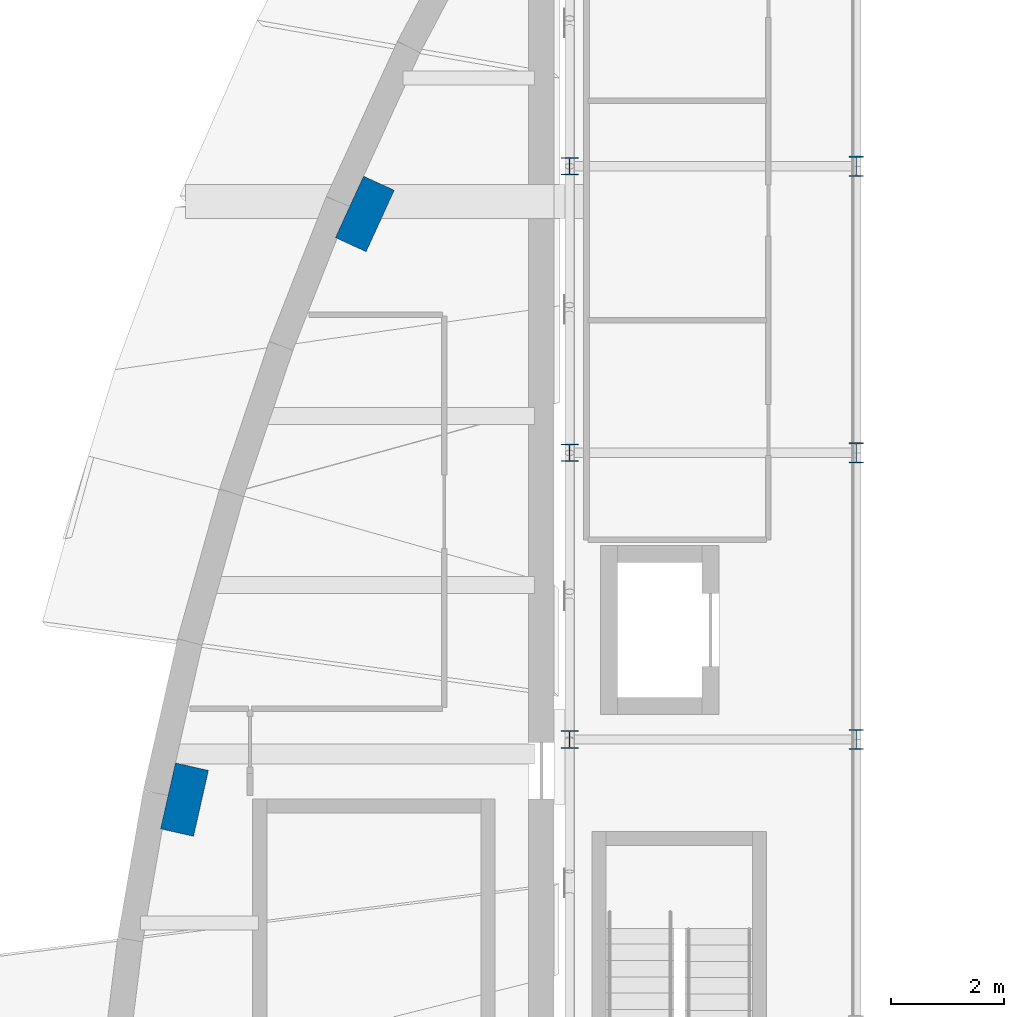
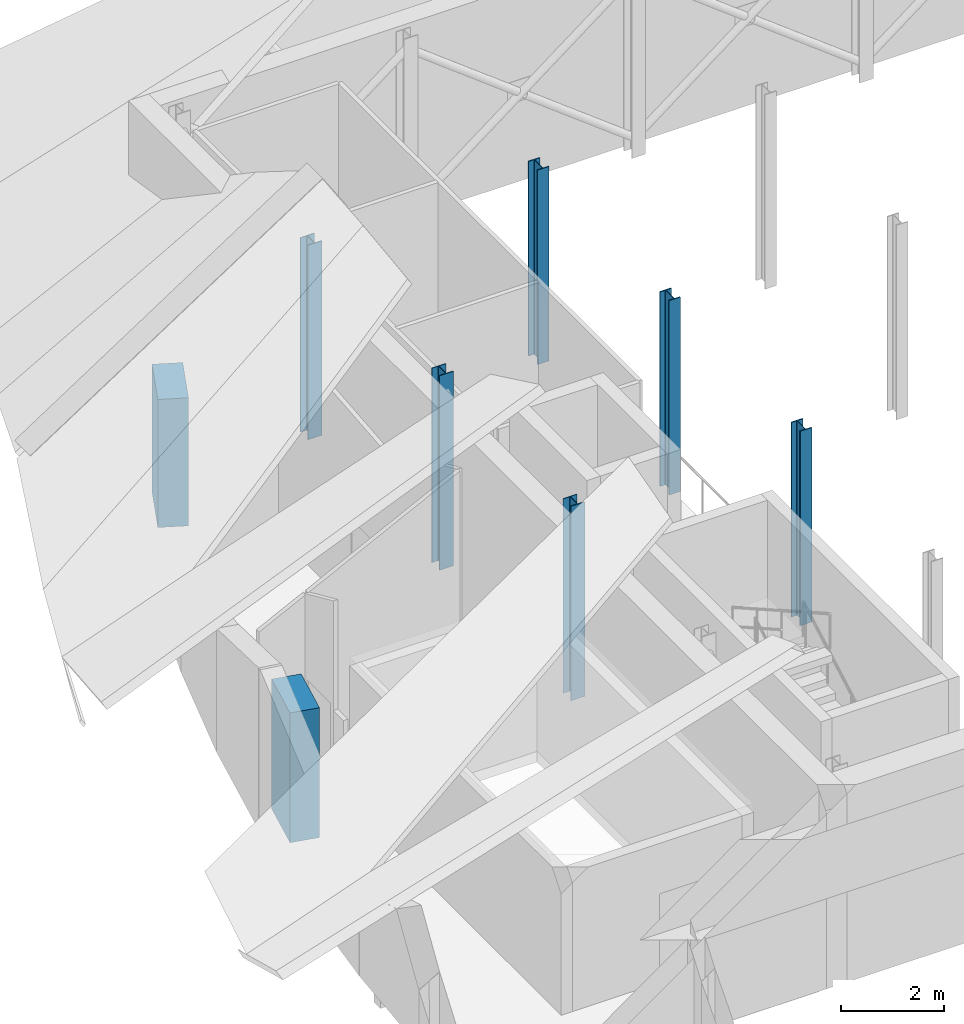
# One storey, part 2 of 17: 8 columns.
"""IFC4 building model written with IfcOpenShell, lengths in metres."""

from ifc_helpers import new_model, si_unit, direction, frame, origin, origin_2d, place, context, subcontext, project, spatial, rectangle, i_section, extrude, material, material_profile, profile_set, type_object, element, save


model = new_model("IFC4")

# Units and contexts
model_context = context("Model", 3, precision=1e-05, world=origin(), true_north=direction((0.0, 1.0)))
body_context = subcontext(model_context, "Body", "Model", "MODEL_VIEW")
ifc_project = project(units=[si_unit("LENGTHUNIT", "METRE"), si_unit("AREAUNIT", "SQUARE_METRE"), si_unit("VOLUMEUNIT", "CUBIC_METRE"), si_unit("PLANEANGLEUNIT", "RADIAN"), si_unit("MASSUNIT", "GRAM", prefix="KILO")], contexts=[model_context])

# Site, building, storey
site_placement = place(None, origin())
site = spatial("IfcSite", under=ifc_project, at=site_placement, CompositionType="ELEMENT")
building_placement = place(site_placement, origin())
building = spatial("IfcBuilding", under=site, at=building_placement, Name="Tide Square Theatres", CompositionType="ELEMENT")
storey_placement = place(building_placement, frame((0.0, 0.0, 14.800048828125)))
storey = spatial("IfcBuildingStorey", under=building, at=storey_placement, Name="L03", CompositionType="ELEMENT", Elevation=14.800048828125)

# Columns
ifc_material_1 = material(Name="Concrete C40", Category="concrete")
ifc_material_profile_1 = material_profile(ifc_material_1, rectangle(XDim=1.199951171875, YDim=0.60009765625, at=origin_2d()))
ifc_profile_set_1 = profile_set([ifc_material_profile_1], Name="Concrete C40")
column_type_1 = type_object("IfcColumnType", Name="RC pier 1200 x 600", PredefinedType="PILASTER", material=ifc_profile_set_1)
column_1_placement = place(storey_placement, frame((64.43798828125, 65.3876953125, 0.0), z_axis=(0.0, 0.0, 1.0), x_axis=(-0.220356962886, -0.975419299024, 0.0)))
element("IfcColumn", 1, at=column_1_placement, inside=storey, type_object=column_type_1, Name="Rib foot pier", PredefinedType="PILASTER", context=body_context, shape_type="SweptSolid", body=[
    extrude(rectangle(XDim=1.199951171875, YDim=0.60009765625, at=origin_2d()), origin(), (0.0, 0.0, 1.0), 3.070556640625),
])
column_2_placement = place(storey_placement, frame((67.64013671875, 75.7880859375, 0.0), z_axis=(0.0, 0.0, 1.0), x_axis=(-0.416344267901, -0.90920704495, 0.0)))
element("IfcColumn", 2, at=column_2_placement, inside=storey, type_object=column_type_1, Name="Rib foot pier", PredefinedType="PILASTER", context=body_context, shape_type="SweptSolid", body=[
    extrude(rectangle(XDim=1.199951171875, YDim=0.60009765625, at=origin_2d()), origin(), (0.0, 0.0, 1.0), 3.030029296875),
])
ifc_material_2 = material(Name="Steel ASTM A572 Grade 50", Category="steel")
ifc_material_profile_2 = material_profile(ifc_material_2, i_section(OverallWidth=0.31201171875, OverallDepth=0.31201171875, WebThickness=0.017333984375, FlangeThickness=0.017333984375, FilletRadius=0.01611328125, at=origin_2d()))
ifc_profile_set_2 = profile_set([ifc_material_profile_2], Name="Steel ASTM A572 Grade 50")
column_type_2 = type_object("IfcColumnType", Name="Steel column HP 310 x 125.0", PredefinedType="COLUMN", material=ifc_profile_set_2)
for number, where, z_axis, x_axis, name in (
    (3, (71.27587890625, 66.455078125, 0.0), (0.0, 0.0, 1.0), (1.0, 0.0, 0.0), "Fly tower column"),
    (4, (71.27587890625, 71.544921875, 0.0), (0.0, 0.0, 1.0), (1.0, 0.0, 0.0), "Fly tower column"),
    (5, (71.27587890625, 76.634521484375, 0.0), (0.0, 0.0, 1.0), (1.0, 0.0, 0.0), "Fly tower column"),
):
    element("IfcColumn", number, at=place(storey_placement, frame(where, z_axis=z_axis, x_axis=x_axis)), inside=storey, type_object=column_type_2, Name=name, PredefinedType="COLUMN", context=body_context, shape_type="SweptSolid", body=[
        extrude(i_section(OverallWidth=0.31201171875, OverallDepth=0.31201171875, WebThickness=0.017333984375, FlangeThickness=0.017333984375, FilletRadius=0.01611328125, at=origin_2d()), origin(), (0.0, 0.0, 1.0), 4.599853515625),
    ])
ifc_material_3 = material(Name="Steel ASTM A572 Grade 50", Category="steel")
ifc_material_profile_3 = material_profile(ifc_material_3, i_section(OverallWidth=0.257080078125, OverallDepth=0.363037109375, WebThickness=0.012939453125, FlangeThickness=0.021728515625, FilletRadius=0.01611328125, at=origin_2d()))
ifc_profile_set_3 = profile_set([ifc_material_profile_3], Name="Steel ASTM A572 Grade 50")
column_type_3 = type_object("IfcColumnType", Name="Steel column W 360 x 122.0", PredefinedType="COLUMN", material=ifc_profile_set_3)
for number, where, z_axis, x_axis, name in (
    (6, (76.365478515625, 66.455078125, 0.0), (0.0, 0.0, 1.0), (1.0, 0.0, 0.0), "Fly tower column"),
    (7, (76.365478515625, 71.544921875, 0.0), (0.0, 0.0, 1.0), (1.0, 0.0, 0.0), "Fly tower column"),
    (8, (76.365478515625, 76.634521484375, 0.0), (0.0, 0.0, 1.0), (1.0, 0.0, 0.0), "Fly tower column"),
):
    element("IfcColumn", number, at=place(storey_placement, frame(where, z_axis=z_axis, x_axis=x_axis)), inside=storey, type_object=column_type_3, Name=name, PredefinedType="COLUMN", context=body_context, shape_type="SweptSolid", body=[
        extrude(i_section(OverallWidth=0.257080078125, OverallDepth=0.363037109375, WebThickness=0.012939453125, FlangeThickness=0.021728515625, FilletRadius=0.01611328125, at=origin_2d()), origin(), (0.0, 0.0, 1.0), 4.599853515625),
    ])

save(model, "model.ifc")
